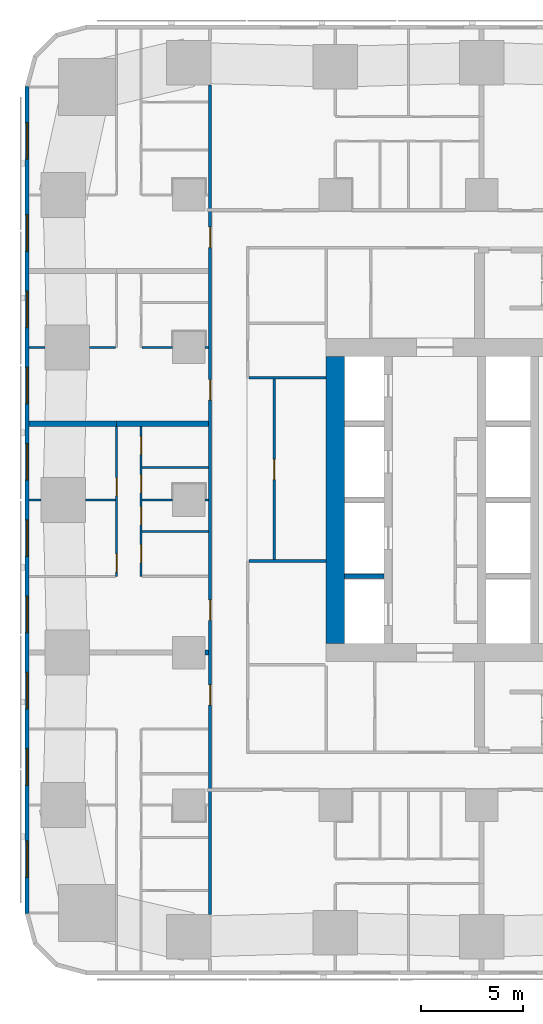
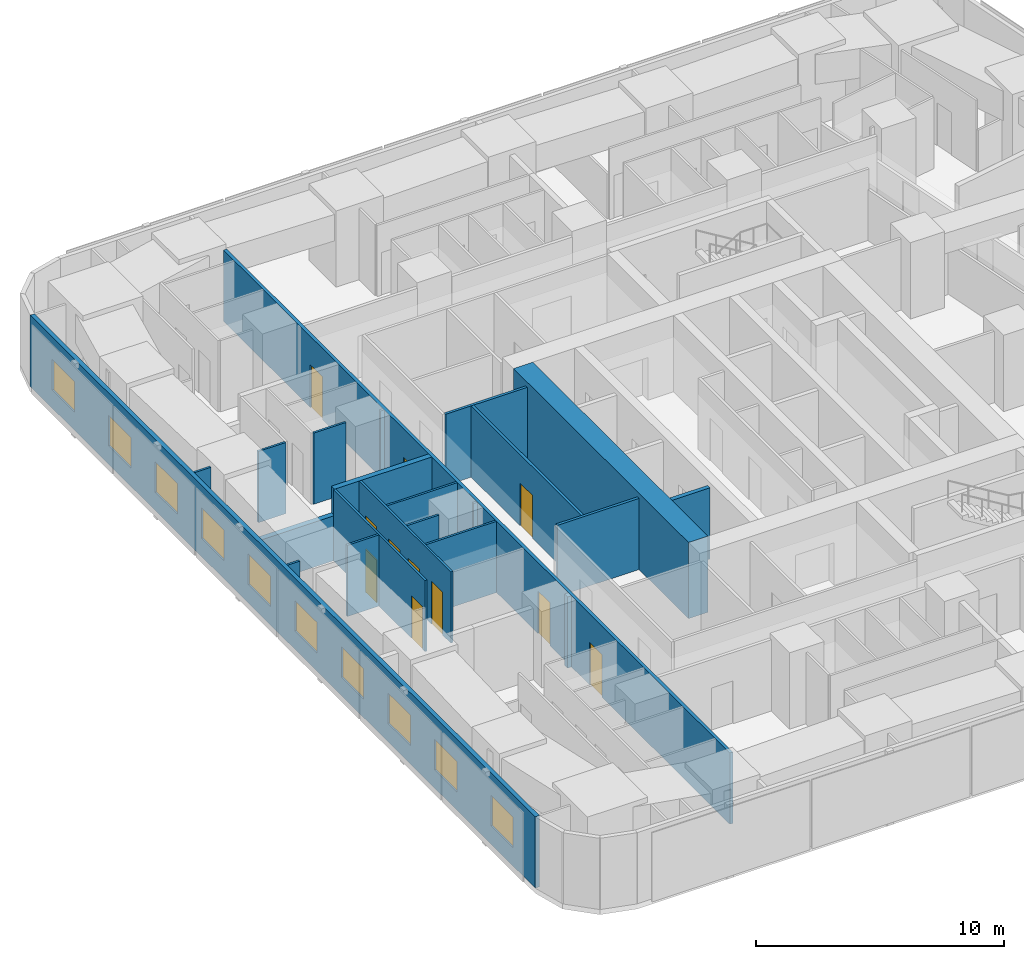
# One storey, part 4 of 15: 22 walls, 11 doors, 10 windows, 21 openings.
"""IFC4 building model written with IfcOpenShell, lengths in metres."""

from ifc_helpers import new_model, si_unit, direction, frame, frame_2d, origin, place, context, subcontext, project, spatial, rectangle, extrude, material, layer, layer_set, type_object, element, fill, save


model = new_model("IFC4")

# Units and contexts
model_context = context("Model", 3, precision=1e-05, world=origin(), true_north=direction((0.0, 1.0)))
body_context = subcontext(model_context, "Body", "Model", "MODEL_VIEW")
ifc_project = project(units=[si_unit("LENGTHUNIT", "METRE"), si_unit("AREAUNIT", "SQUARE_METRE"), si_unit("VOLUMEUNIT", "CUBIC_METRE"), si_unit("PLANEANGLEUNIT", "RADIAN"), si_unit("MASSUNIT", "GRAM", prefix="KILO")], contexts=[model_context])

# Site, building, storey
site_placement = place(None, origin())
site = spatial("IfcSite", under=ifc_project, at=site_placement, CompositionType="ELEMENT")
building_placement = place(site_placement, origin())
building = spatial("IfcBuilding", under=site, at=building_placement, Name="Sheger Commons Tower", CompositionType="ELEMENT")
storey_placement = place(building_placement, frame((0.0, 0.0, 104.14990234375)))
storey = spatial("IfcBuildingStorey", under=building, at=storey_placement, Name="L26", CompositionType="ELEMENT", Elevation=104.14990234375)

# Wall
ifc_material_1 = material(Name="Concrete C50/60", Category="concrete")
ifc_layer_1 = layer(ifc_material_1, 0.89990234375)
ifc_layer_set_1 = layer_set([ifc_layer_1], Name="CORE WALL 900")
wall_type_1 = type_object("IfcWallType", Name="CORE WALL 900", PredefinedType="SHEAR", material=ifc_layer_set_1)
wall_1_placement = place(storey_placement, frame((14.39990234375, 15.449951171875, 0.0), z_axis=(0.0, 0.0, 1.0), x_axis=(0.0, 1.0, 0.0)))
element("IfcWall", 1, at=wall_1_placement, inside=storey, type_object=wall_type_1, Name="Core wall west L26", PredefinedType="SHEAR", context=body_context, shape_type="SweptSolid", body=[
    extrude(rectangle(XDim=14.10009765625, YDim=0.89990234375, at=frame_2d((7.050048828125, 0.0))), origin(), (0.0, 0.0, 1.0), 3.75),
])

# Wall, openings, doors
ifc_material_2 = material(Name="Hollow concrete block masonry, skimmed both sides", Category="masonry")
ifc_layer_2 = layer(ifc_material_2, 0.14990234375)
ifc_layer_set_2 = layer_set([ifc_layer_2], Name="CORRIDOR WALL 150")
wall_type_2 = type_object("IfcWallType", Name="CORRIDOR WALL 150", PredefinedType="SOLIDWALL", material=ifc_layer_set_2)
wall_2_placement = place(storey_placement, frame((8.25, 2.1259765625, 0.0), z_axis=(0.0, 0.0, 1.0), x_axis=(0.0, 1.0, 0.0)))
wall_2 = element("IfcWall", 2, at=wall_2_placement, inside=storey, type_object=wall_type_2, Name="Corridor wall L26", PredefinedType="SOLIDWALL", context=body_context, shape_type="SweptSolid", body=[
    extrude(rectangle(XDim=40.77294921875, YDim=0.14990234375, at=frame_2d((20.386474609375, 0.0))), origin(), (0.0, 0.0, 1.0), 3.5),
])
opening_1_placement = place(wall_2_placement, frame((10.285888671875, 0.0, 0.0)))
opening_1 = element("IfcOpeningElement", 3, at=opening_1_placement, cuts=wall_2, Name="Opening D1", PredefinedType="OPENING", context=body_context, shape_type="SweptSolid", body=[
    extrude(rectangle(XDim=1.0, YDim=2.10009765625, at=frame_2d((0.5, 1.050048828125))), frame((0.0, 0.0849609375, 0.0), z_axis=(0.0, -1.0, 0.0), x_axis=(1.0, 0.0, 0.0)), (0.0, 0.0, 1.0), 0.169921875),
])
opening_2_placement = place(wall_2_placement, frame((14.4609375, 0.0, 0.0)))
opening_2 = element("IfcOpeningElement", 4, at=opening_2_placement, cuts=wall_2, Name="Opening D1", PredefinedType="OPENING", context=body_context, shape_type="SweptSolid", body=[
    extrude(rectangle(XDim=1.0, YDim=2.10009765625, at=frame_2d((0.5, 1.050048828125))), frame((0.0, 0.0849609375, 0.0), z_axis=(0.0, -1.0, 0.0), x_axis=(1.0, 0.0, 0.0)), (0.0, 0.0, 1.0), 0.169921875),
])
opening_3_placement = place(wall_2_placement, frame((25.287109375, 0.0, 0.0)))
opening_3 = element("IfcOpeningElement", 5, at=opening_3_placement, cuts=wall_2, Name="Opening D1", PredefinedType="OPENING", context=body_context, shape_type="SweptSolid", body=[
    extrude(rectangle(XDim=1.0, YDim=2.10009765625, at=frame_2d((0.5, 1.050048828125))), frame((0.0, 0.0849609375, 0.0), z_axis=(0.0, -1.0, 0.0), x_axis=(1.0, 0.0, 0.0)), (0.0, 0.0, 1.0), 0.169921875),
])
opening_4_placement = place(wall_2_placement, frame((32.787109375, 0.0, 0.0)))
opening_4 = element("IfcOpeningElement", 6, at=opening_4_placement, cuts=wall_2, Name="Opening D1", PredefinedType="OPENING", context=body_context, shape_type="SweptSolid", body=[
    extrude(rectangle(XDim=1.0, YDim=2.10009765625, at=frame_2d((0.5, 1.050048828125))), frame((0.0, 0.0849609375, 0.0), z_axis=(0.0, -1.0, 0.0), x_axis=(1.0, 0.0, 0.0)), (0.0, 0.0, 1.0), 0.169921875),
])
ifc_material_3 = material(Name="Steel door set, fire rated", Category="steel")
door_type_1 = type_object("IfcDoorType", Name="FLAT ENTRANCE DOOR 1000x2100", OperationType="NOTDEFINED", PredefinedType="DOOR", material=ifc_material_3)
door_1_placement = place(opening_1_placement, origin())
door_1 = element("IfcDoor", 7, at=door_1_placement, inside=storey, type_object=door_type_1, Name="Flat entrance door", OperationType="SINGLE_SWING_LEFT", OverallHeight=2.10009765625, OverallWidth=1.0, PredefinedType="DOOR", context=body_context, shape_type="SweptSolid", body=[
    extrude(rectangle(XDim=1.0, YDim=2.10009765625, at=frame_2d((0.5, 1.050048828125))), frame((0.0, 0.02490234375, 0.0), z_axis=(0.0, -1.0, 0.0), x_axis=(1.0, 0.0, 0.0)), (0.0, 0.0, 1.0), 0.050048828125),
])
fill(opening_1, door_1)
door_2_placement = place(opening_2_placement, origin())
door_2 = element("IfcDoor", 8, at=door_2_placement, inside=storey, type_object=door_type_1, Name="Flat entrance door", OperationType="SINGLE_SWING_RIGHT", OverallHeight=2.10009765625, OverallWidth=1.0, PredefinedType="DOOR", context=body_context, shape_type="SweptSolid", body=[
    extrude(rectangle(XDim=1.0, YDim=2.10009765625, at=frame_2d((0.5, 1.050048828125))), frame((0.0, 0.02490234375, 0.0), z_axis=(0.0, -1.0, 0.0), x_axis=(1.0, 0.0, 0.0)), (0.0, 0.0, 1.0), 0.050048828125),
])
fill(opening_2, door_2)
door_3_placement = place(opening_3_placement, origin())
door_3 = element("IfcDoor", 9, at=door_3_placement, inside=storey, type_object=door_type_1, Name="Flat entrance door", OperationType="SINGLE_SWING_LEFT", OverallHeight=2.10009765625, OverallWidth=1.0, PredefinedType="DOOR", context=body_context, shape_type="SweptSolid", body=[
    extrude(rectangle(XDim=1.0, YDim=2.10009765625, at=frame_2d((0.5, 1.050048828125))), frame((0.0, 0.02490234375, 0.0), z_axis=(0.0, -1.0, 0.0), x_axis=(1.0, 0.0, 0.0)), (0.0, 0.0, 1.0), 0.050048828125),
])
fill(opening_3, door_3)
door_4_placement = place(opening_4_placement, origin())
door_4 = element("IfcDoor", 10, at=door_4_placement, inside=storey, type_object=door_type_1, Name="Flat entrance door", OperationType="SINGLE_SWING_LEFT", OverallHeight=2.10009765625, OverallWidth=1.0, PredefinedType="DOOR", context=body_context, shape_type="SweptSolid", body=[
    extrude(rectangle(XDim=1.0, YDim=2.10009765625, at=frame_2d((0.5, 1.050048828125))), frame((0.0, 0.02490234375, 0.0), z_axis=(0.0, -1.0, 0.0), x_axis=(1.0, 0.0, 0.0)), (0.0, 0.0, 1.0), 0.050048828125),
])
fill(opening_4, door_4)

# Walls
ifc_material_4 = material(Name="Dense concrete block masonry, plastered both sides (separating wall between flats)", Category="masonry")
ifc_layer_3 = layer(ifc_material_4, 0.25)
ifc_layer_set_3 = layer_set([ifc_layer_3], Name="DEMISING WALL 250")
wall_type_3 = type_object("IfcWallType", Name="DEMISING WALL 250", PredefinedType="SOLIDWALL", material=ifc_layer_set_3)
wall_3_placement = place(storey_placement, frame((8.0009765625, 15.0, 0.0), z_axis=(0.0, 0.0, 1.0), x_axis=(1.0, 0.0, 0.0)))
element("IfcWall", 11, at=wall_3_placement, inside=storey, type_object=wall_type_3, Name="Demising wall L26", PredefinedType="SOLIDWALL", context=body_context, shape_type="SweptSolid", body=[
    extrude(rectangle(XDim=0.174072265625, YDim=0.25, at=frame_2d((0.0869140625, 0.0))), origin(), (0.0, 0.0, 1.0), 3.5),
])
wall_4_placement = place(storey_placement, frame((-0.64990234375, 26.25, 0.0), z_axis=(0.0, 0.0, 1.0), x_axis=(1.0, 0.0, 0.0)))
element("IfcWall", 12, at=wall_4_placement, inside=storey, type_object=wall_type_3, Name="Demising wall L26", PredefinedType="SOLIDWALL", context=body_context, shape_type="SweptSolid", body=[
    extrude(rectangle(XDim=4.2998046875, YDim=0.25, at=frame_2d((2.14990234375, 0.0))), origin(), (0.0, 0.0, 1.0), 2.2001953125),
])
wall_5_placement = place(storey_placement, frame((3.64990234375, 26.25, 0.0), z_axis=(0.0, 0.0, 1.0), x_axis=(1.0, 0.0, 0.0)))
element("IfcWall", 13, at=wall_5_placement, inside=storey, type_object=wall_type_3, Name="Demising wall L26", PredefinedType="SOLIDWALL", context=body_context, shape_type="SweptSolid", body=[
    extrude(rectangle(XDim=4.525146484375, YDim=0.25, at=frame_2d((2.2626953125, 0.0))), origin(), (0.0, 0.0, 1.0), 3.5),
])

# Wall, openings, windows
ifc_material_5 = material(Name="Rendered concrete block masonry, dark grey", Category="masonry")
ifc_layer_4 = layer(ifc_material_5, 0.199951171875)
ifc_layer_set_4 = layer_set([ifc_layer_4], Name="FACADE WALL 200")
wall_type_4 = type_object("IfcWallType", Name="FACADE WALL 200", PredefinedType="SOLIDWALL", material=ifc_layer_set_4)
wall_6_placement = place(storey_placement, frame((-0.75, 42.8369140625, 0.0), z_axis=(0.0, 0.0, 1.0), x_axis=(0.0, -1.0, 0.0)))
wall_6 = element("IfcWall", 14, at=wall_6_placement, inside=storey, type_object=wall_type_4, Name="Facade wall L26", PredefinedType="SOLIDWALL", context=body_context, shape_type="SweptSolid", body=[
    extrude(rectangle(XDim=40.673828125, YDim=0.199951171875, at=frame_2d((20.3369140625, 0.0))), origin(), (0.0, 0.0, 1.0), 3.5),
])
opening_5_placement = place(wall_6_placement, frame((1.780029296875, 0.0, 0.89990234375)))
opening_5 = element("IfcOpeningElement", 15, at=opening_5_placement, cuts=wall_6, Name="Opening W2", PredefinedType="OPENING", context=body_context, shape_type="SweptSolid", body=[
    extrude(rectangle(XDim=1.800048828125, YDim=1.5, at=frame_2d((0.89990234375, 0.75))), frame((0.0, 0.10986328125, 0.0), z_axis=(0.0, -1.0, 0.0), x_axis=(1.0, 0.0, 0.0)), (0.0, 0.0, 1.0), 0.219970703125),
])
opening_6_placement = place(wall_6_placement, frame((6.31201171875, 0.0, 0.89990234375)))
opening_6 = element("IfcOpeningElement", 16, at=opening_6_placement, cuts=wall_6, Name="Opening W2", PredefinedType="OPENING", context=body_context, shape_type="SweptSolid", body=[
    extrude(rectangle(XDim=1.800048828125, YDim=1.5, at=frame_2d((0.89990234375, 0.75))), frame((0.0, 0.10986328125, 0.0), z_axis=(0.0, -1.0, 0.0), x_axis=(1.0, 0.0, 0.0)), (0.0, 0.0, 1.0), 0.219970703125),
])
opening_7_placement = place(wall_6_placement, frame((10.06201171875, 0.0, 0.89990234375)))
opening_7 = element("IfcOpeningElement", 17, at=opening_7_placement, cuts=wall_6, Name="Opening W2", PredefinedType="OPENING", context=body_context, shape_type="SweptSolid", body=[
    extrude(rectangle(XDim=1.800048828125, YDim=1.5, at=frame_2d((0.89990234375, 0.75))), frame((0.0, 0.10986328125, 0.0), z_axis=(0.0, -1.0, 0.0), x_axis=(1.0, 0.0, 0.0)), (0.0, 0.0, 1.0), 0.219970703125),
])
opening_8_placement = place(wall_6_placement, frame((13.81201171875, 0.0, 0.89990234375)))
opening_8 = element("IfcOpeningElement", 18, at=opening_8_placement, cuts=wall_6, Name="Opening W2", PredefinedType="OPENING", context=body_context, shape_type="SweptSolid", body=[
    extrude(rectangle(XDim=1.800048828125, YDim=1.5, at=frame_2d((0.89990234375, 0.75))), frame((0.0, 0.10986328125, 0.0), z_axis=(0.0, -1.0, 0.0), x_axis=(1.0, 0.0, 0.0)), (0.0, 0.0, 1.0), 0.219970703125),
])
opening_9_placement = place(wall_6_placement, frame((17.56201171875, 0.0, 0.89990234375)))
opening_9 = element("IfcOpeningElement", 19, at=opening_9_placement, cuts=wall_6, Name="Opening W2", PredefinedType="OPENING", context=body_context, shape_type="SweptSolid", body=[
    extrude(rectangle(XDim=1.800048828125, YDim=1.5, at=frame_2d((0.89990234375, 0.75))), frame((0.0, 0.10986328125, 0.0), z_axis=(0.0, -1.0, 0.0), x_axis=(1.0, 0.0, 0.0)), (0.0, 0.0, 1.0), 0.219970703125),
])
opening_10_placement = place(wall_6_placement, frame((21.31201171875, 0.0, 0.89990234375)))
opening_10 = element("IfcOpeningElement", 20, at=opening_10_placement, cuts=wall_6, Name="Opening W2", PredefinedType="OPENING", context=body_context, shape_type="SweptSolid", body=[
    extrude(rectangle(XDim=1.800048828125, YDim=1.5, at=frame_2d((0.89990234375, 0.75))), frame((0.0, 0.10986328125, 0.0), z_axis=(0.0, -1.0, 0.0), x_axis=(1.0, 0.0, 0.0)), (0.0, 0.0, 1.0), 0.219970703125),
])
opening_11_placement = place(wall_6_placement, frame((25.06201171875, 0.0, 0.89990234375)))
opening_11 = element("IfcOpeningElement", 21, at=opening_11_placement, cuts=wall_6, Name="Opening W2", PredefinedType="OPENING", context=body_context, shape_type="SweptSolid", body=[
    extrude(rectangle(XDim=1.800048828125, YDim=1.5, at=frame_2d((0.89990234375, 0.75))), frame((0.0, 0.10986328125, 0.0), z_axis=(0.0, -1.0, 0.0), x_axis=(1.0, 0.0, 0.0)), (0.0, 0.0, 1.0), 0.219970703125),
])
opening_12_placement = place(wall_6_placement, frame((28.81201171875, 0.0, 0.89990234375)))
opening_12 = element("IfcOpeningElement", 22, at=opening_12_placement, cuts=wall_6, Name="Opening W2", PredefinedType="OPENING", context=body_context, shape_type="SweptSolid", body=[
    extrude(rectangle(XDim=1.800048828125, YDim=1.5, at=frame_2d((0.89990234375, 0.75))), frame((0.0, 0.10986328125, 0.0), z_axis=(0.0, -1.0, 0.0), x_axis=(1.0, 0.0, 0.0)), (0.0, 0.0, 1.0), 0.219970703125),
])
opening_13_placement = place(wall_6_placement, frame((32.56201171875, 0.0, 0.89990234375)))
opening_13 = element("IfcOpeningElement", 23, at=opening_13_placement, cuts=wall_6, Name="Opening W2", PredefinedType="OPENING", context=body_context, shape_type="SweptSolid", body=[
    extrude(rectangle(XDim=1.800048828125, YDim=1.5, at=frame_2d((0.89990234375, 0.75))), frame((0.0, 0.10986328125, 0.0), z_axis=(0.0, -1.0, 0.0), x_axis=(1.0, 0.0, 0.0)), (0.0, 0.0, 1.0), 0.219970703125),
])
opening_14_placement = place(wall_6_placement, frame((37.093994140625, 0.0, 0.89990234375)))
opening_14 = element("IfcOpeningElement", 24, at=opening_14_placement, cuts=wall_6, Name="Opening W2", PredefinedType="OPENING", context=body_context, shape_type="SweptSolid", body=[
    extrude(rectangle(XDim=1.800048828125, YDim=1.5, at=frame_2d((0.89990234375, 0.75))), frame((0.0, 0.10986328125, 0.0), z_axis=(0.0, -1.0, 0.0), x_axis=(1.0, 0.0, 0.0)), (0.0, 0.0, 1.0), 0.219970703125),
])
ifc_material_6 = material(Name="Black aluminium frame, dark tinted double glazing", Category="aluminium")
window_type = type_object("IfcWindowType", Name="WINDOW W2 1800x1500", PartitioningType="SINGLE_PANEL", PredefinedType="WINDOW", material=ifc_material_6)
window_1_placement = place(opening_5_placement, origin())
window_1 = element("IfcWindow", 25, at=window_1_placement, inside=storey, type_object=window_type, Name="Window W2 1800X1500", OverallHeight=1.5, OverallWidth=1.800048828125, PartitioningType="SINGLE_PANEL", PredefinedType="WINDOW", context=body_context, shape_type="SweptSolid", body=[
    extrude(rectangle(XDim=1.800048828125, YDim=1.5, at=frame_2d((0.89990234375, 0.75))), frame((0.0, 0.030029296875, 0.0), z_axis=(0.0, -1.0, 0.0), x_axis=(1.0, 0.0, 0.0)), (0.0, 0.0, 1.0), 0.06005859375),
])
fill(opening_5, window_1)
window_2_placement = place(opening_6_placement, origin())
window_2 = element("IfcWindow", 26, at=window_2_placement, inside=storey, type_object=window_type, Name="Window W2 1800X1500", OverallHeight=1.5, OverallWidth=1.800048828125, PartitioningType="SINGLE_PANEL", PredefinedType="WINDOW", context=body_context, shape_type="SweptSolid", body=[
    extrude(rectangle(XDim=1.800048828125, YDim=1.5, at=frame_2d((0.89990234375, 0.75))), frame((0.0, 0.030029296875, 0.0), z_axis=(0.0, -1.0, 0.0), x_axis=(1.0, 0.0, 0.0)), (0.0, 0.0, 1.0), 0.06005859375),
])
fill(opening_6, window_2)
window_3_placement = place(opening_7_placement, origin())
window_3 = element("IfcWindow", 27, at=window_3_placement, inside=storey, type_object=window_type, Name="Window W2 1800X1500", OverallHeight=1.5, OverallWidth=1.800048828125, PartitioningType="SINGLE_PANEL", PredefinedType="WINDOW", context=body_context, shape_type="SweptSolid", body=[
    extrude(rectangle(XDim=1.800048828125, YDim=1.5, at=frame_2d((0.89990234375, 0.75))), frame((0.0, 0.030029296875, 0.0), z_axis=(0.0, -1.0, 0.0), x_axis=(1.0, 0.0, 0.0)), (0.0, 0.0, 1.0), 0.06005859375),
])
fill(opening_7, window_3)
window_4_placement = place(opening_8_placement, origin())
window_4 = element("IfcWindow", 28, at=window_4_placement, inside=storey, type_object=window_type, Name="Window W2 1800X1500", OverallHeight=1.5, OverallWidth=1.800048828125, PartitioningType="SINGLE_PANEL", PredefinedType="WINDOW", context=body_context, shape_type="SweptSolid", body=[
    extrude(rectangle(XDim=1.800048828125, YDim=1.5, at=frame_2d((0.89990234375, 0.75))), frame((0.0, 0.030029296875, 0.0), z_axis=(0.0, -1.0, 0.0), x_axis=(1.0, 0.0, 0.0)), (0.0, 0.0, 1.0), 0.06005859375),
])
fill(opening_8, window_4)
window_5_placement = place(opening_9_placement, origin())
window_5 = element("IfcWindow", 29, at=window_5_placement, inside=storey, type_object=window_type, Name="Window W2 1800X1500", OverallHeight=1.5, OverallWidth=1.800048828125, PartitioningType="SINGLE_PANEL", PredefinedType="WINDOW", context=body_context, shape_type="SweptSolid", body=[
    extrude(rectangle(XDim=1.800048828125, YDim=1.5, at=frame_2d((0.89990234375, 0.75))), frame((0.0, 0.030029296875, 0.0), z_axis=(0.0, -1.0, 0.0), x_axis=(1.0, 0.0, 0.0)), (0.0, 0.0, 1.0), 0.06005859375),
])
fill(opening_9, window_5)
window_6_placement = place(opening_10_placement, origin())
window_6 = element("IfcWindow", 30, at=window_6_placement, inside=storey, type_object=window_type, Name="Window W2 1800X1500", OverallHeight=1.5, OverallWidth=1.800048828125, PartitioningType="SINGLE_PANEL", PredefinedType="WINDOW", context=body_context, shape_type="SweptSolid", body=[
    extrude(rectangle(XDim=1.800048828125, YDim=1.5, at=frame_2d((0.89990234375, 0.75))), frame((0.0, 0.030029296875, 0.0), z_axis=(0.0, -1.0, 0.0), x_axis=(1.0, 0.0, 0.0)), (0.0, 0.0, 1.0), 0.06005859375),
])
fill(opening_10, window_6)
window_7_placement = place(opening_11_placement, origin())
window_7 = element("IfcWindow", 31, at=window_7_placement, inside=storey, type_object=window_type, Name="Window W2 1800X1500", OverallHeight=1.5, OverallWidth=1.800048828125, PartitioningType="SINGLE_PANEL", PredefinedType="WINDOW", context=body_context, shape_type="SweptSolid", body=[
    extrude(rectangle(XDim=1.800048828125, YDim=1.5, at=frame_2d((0.89990234375, 0.75))), frame((0.0, 0.030029296875, 0.0), z_axis=(0.0, -1.0, 0.0), x_axis=(1.0, 0.0, 0.0)), (0.0, 0.0, 1.0), 0.06005859375),
])
fill(opening_11, window_7)
window_8_placement = place(opening_12_placement, origin())
window_8 = element("IfcWindow", 32, at=window_8_placement, inside=storey, type_object=window_type, Name="Window W2 1800X1500", OverallHeight=1.5, OverallWidth=1.800048828125, PartitioningType="SINGLE_PANEL", PredefinedType="WINDOW", context=body_context, shape_type="SweptSolid", body=[
    extrude(rectangle(XDim=1.800048828125, YDim=1.5, at=frame_2d((0.89990234375, 0.75))), frame((0.0, 0.030029296875, 0.0), z_axis=(0.0, -1.0, 0.0), x_axis=(1.0, 0.0, 0.0)), (0.0, 0.0, 1.0), 0.06005859375),
])
fill(opening_12, window_8)
window_9_placement = place(opening_13_placement, origin())
window_9 = element("IfcWindow", 33, at=window_9_placement, inside=storey, type_object=window_type, Name="Window W2 1800X1500", OverallHeight=1.5, OverallWidth=1.800048828125, PartitioningType="SINGLE_PANEL", PredefinedType="WINDOW", context=body_context, shape_type="SweptSolid", body=[
    extrude(rectangle(XDim=1.800048828125, YDim=1.5, at=frame_2d((0.89990234375, 0.75))), frame((0.0, 0.030029296875, 0.0), z_axis=(0.0, -1.0, 0.0), x_axis=(1.0, 0.0, 0.0)), (0.0, 0.0, 1.0), 0.06005859375),
])
fill(opening_13, window_9)
window_10_placement = place(opening_14_placement, origin())
window_10 = element("IfcWindow", 34, at=window_10_placement, inside=storey, type_object=window_type, Name="Window W2 1800X1500", OverallHeight=1.5, OverallWidth=1.800048828125, PartitioningType="SINGLE_PANEL", PredefinedType="WINDOW", context=body_context, shape_type="SweptSolid", body=[
    extrude(rectangle(XDim=1.800048828125, YDim=1.5, at=frame_2d((0.89990234375, 0.75))), frame((0.0, 0.030029296875, 0.0), z_axis=(0.0, -1.0, 0.0), x_axis=(1.0, 0.0, 0.0)), (0.0, 0.0, 1.0), 0.06005859375),
])
fill(opening_14, window_10)

# Wall, openings, doors
ifc_material_7 = material(Name="Gypsum board on steel studs", Category="steel")
ifc_layer_5 = layer(ifc_material_7, 0.10009765625)
ifc_layer_set_5 = layer_set([ifc_layer_5], Name="PARTITION 100")
wall_type_5 = type_object("IfcWallType", Name="PARTITION 100", PredefinedType="PARTITIONING", material=ifc_layer_set_5)
wall_7_placement = place(storey_placement, frame((3.64990234375, 18.75, 0.0), z_axis=(0.0, 0.0, 1.0), x_axis=(0.0, 1.0, 0.0)))
wall_7 = element("IfcWall", 35, at=wall_7_placement, inside=storey, type_object=wall_type_5, Name="Partition L26", PredefinedType="PARTITIONING", context=body_context, shape_type="SweptSolid", body=[
    extrude(rectangle(XDim=7.375, YDim=0.10009765625, at=frame_2d((3.6875, 0.0))), origin(), (0.0, 0.0, 1.0), 3.5),
])
opening_15_placement = place(wall_7_placement, frame((0.199951171875, 0.0, 0.0)))
opening_15 = element("IfcOpeningElement", 36, at=opening_15_placement, cuts=wall_7, Name="Opening D2", PredefinedType="OPENING", context=body_context, shape_type="SweptSolid", body=[
    extrude(rectangle(XDim=0.89990234375, YDim=2.10009765625, at=frame_2d((0.449951171875, 1.050048828125))), frame((0.0, 0.06005859375, 0.0), z_axis=(0.0, -1.0, 0.0), x_axis=(1.0, 0.0, 0.0)), (0.0, 0.0, 1.0), 0.1201171875),
])
opening_16_placement = place(wall_7_placement, frame((3.949951171875, 0.0, 0.0)))
opening_16 = element("IfcOpeningElement", 37, at=opening_16_placement, cuts=wall_7, Name="Opening D2", PredefinedType="OPENING", context=body_context, shape_type="SweptSolid", body=[
    extrude(rectangle(XDim=0.89990234375, YDim=2.10009765625, at=frame_2d((0.449951171875, 1.050048828125))), frame((0.0, 0.06005859375, 0.0), z_axis=(0.0, -1.0, 0.0), x_axis=(1.0, 0.0, 0.0)), (0.0, 0.0, 1.0), 0.1201171875),
])
ifc_material_8 = material(Name="Timber door set", Category="wood")
door_type_2 = type_object("IfcDoorType", Name="INTERNAL DOOR 900x2100", OperationType="NOTDEFINED", PredefinedType="DOOR", material=ifc_material_8)
door_5_placement = place(opening_15_placement, origin())
door_5 = element("IfcDoor", 38, at=door_5_placement, inside=storey, type_object=door_type_2, Name="Main bedroom door", OperationType="SINGLE_SWING_LEFT", OverallHeight=2.10009765625, OverallWidth=0.89990234375, PredefinedType="DOOR", context=body_context, shape_type="SweptSolid", body=[
    extrude(rectangle(XDim=0.89990234375, YDim=2.10009765625, at=frame_2d((0.449951171875, 1.050048828125))), frame((0.0, 0.02490234375, 0.0), z_axis=(0.0, -1.0, 0.0), x_axis=(1.0, 0.0, 0.0)), (0.0, 0.0, 1.0), 0.050048828125),
])
fill(opening_15, door_5)
door_6_placement = place(opening_16_placement, origin())
door_6 = element("IfcDoor", 39, at=door_6_placement, inside=storey, type_object=door_type_2, Name="Bedroom 2 door", OperationType="SINGLE_SWING_LEFT", OverallHeight=2.10009765625, OverallWidth=0.89990234375, PredefinedType="DOOR", context=body_context, shape_type="SweptSolid", body=[
    extrude(rectangle(XDim=0.89990234375, YDim=2.10009765625, at=frame_2d((0.449951171875, 1.050048828125))), frame((0.0, 0.02490234375, 0.0), z_axis=(0.0, -1.0, 0.0), x_axis=(1.0, 0.0, 0.0)), (0.0, 0.0, 1.0), 0.050048828125),
])
fill(opening_16, door_6)

wall_8_placement = place(storey_placement, frame((4.85009765625, 18.75, 0.0), z_axis=(0.0, 0.0, 1.0), x_axis=(0.0, 1.0, 0.0)))
wall_8 = element("IfcWall", 40, at=wall_8_placement, inside=storey, type_object=wall_type_5, Name="Partition L26", PredefinedType="PARTITIONING", context=body_context, shape_type="SweptSolid", body=[
    extrude(rectangle(XDim=7.375, YDim=0.10009765625, at=frame_2d((3.6875, 0.0))), origin(), (0.0, 0.0, 1.0), 3.5),
])
opening_17_placement = place(wall_8_placement, frame((0.655029296875, 0.0, 0.0)))
opening_17 = element("IfcOpeningElement", 41, at=opening_17_placement, cuts=wall_8, Name="Opening D2", PredefinedType="OPENING", context=body_context, shape_type="SweptSolid", body=[
    extrude(rectangle(XDim=0.89990234375, YDim=2.10009765625, at=frame_2d((0.449951171875, 1.050048828125))), frame((0.0, 0.06005859375, 0.0), z_axis=(0.0, -1.0, 0.0), x_axis=(1.0, 0.0, 0.0)), (0.0, 0.0, 1.0), 0.1201171875),
])
opening_18_placement = place(wall_8_placement, frame((4.10009765625, 0.0, 0.0)))
opening_18 = element("IfcOpeningElement", 42, at=opening_18_placement, cuts=wall_8, Name="Opening D2", PredefinedType="OPENING", context=body_context, shape_type="SweptSolid", body=[
    extrude(rectangle(XDim=0.89990234375, YDim=2.10009765625, at=frame_2d((0.449951171875, 1.050048828125))), frame((0.0, 0.06005859375, 0.0), z_axis=(0.0, -1.0, 0.0), x_axis=(1.0, 0.0, 0.0)), (0.0, 0.0, 1.0), 0.1201171875),
])
opening_19_placement = place(wall_8_placement, frame((2.530029296875, 0.0, 0.0)))
opening_19 = element("IfcOpeningElement", 43, at=opening_19_placement, cuts=wall_8, Name="Opening D2", PredefinedType="OPENING", context=body_context, shape_type="SweptSolid", body=[
    extrude(rectangle(XDim=0.89990234375, YDim=2.10009765625, at=frame_2d((0.449951171875, 1.050048828125))), frame((0.0, 0.06005859375, 0.0), z_axis=(0.0, -1.0, 0.0), x_axis=(1.0, 0.0, 0.0)), (0.0, 0.0, 1.0), 0.1201171875),
])
opening_20_placement = place(wall_8_placement, frame((5.97509765625, 0.0, 0.0)))
opening_20 = element("IfcOpeningElement", 44, at=opening_20_placement, cuts=wall_8, Name="Opening D2", PredefinedType="OPENING", context=body_context, shape_type="SweptSolid", body=[
    extrude(rectangle(XDim=0.89990234375, YDim=2.10009765625, at=frame_2d((0.449951171875, 1.050048828125))), frame((0.0, 0.06005859375, 0.0), z_axis=(0.0, -1.0, 0.0), x_axis=(1.0, 0.0, 0.0)), (0.0, 0.0, 1.0), 0.1201171875),
])
door_7_placement = place(opening_17_placement, origin())
door_7 = element("IfcDoor", 45, at=door_7_placement, inside=storey, type_object=door_type_2, Name="Bathroom door", OperationType="SINGLE_SWING_RIGHT", OverallHeight=2.10009765625, OverallWidth=0.89990234375, PredefinedType="DOOR", context=body_context, shape_type="SweptSolid", body=[
    extrude(rectangle(XDim=0.89990234375, YDim=2.10009765625, at=frame_2d((0.449951171875, 1.050048828125))), frame((0.0, 0.02490234375, 0.0), z_axis=(0.0, -1.0, 0.0), x_axis=(1.0, 0.0, 0.0)), (0.0, 0.0, 1.0), 0.050048828125),
])
fill(opening_17, door_7)
door_8_placement = place(opening_18_placement, origin())
door_8 = element("IfcDoor", 46, at=door_8_placement, inside=storey, type_object=door_type_2, Name="Shower room door", OperationType="SINGLE_SWING_RIGHT", OverallHeight=2.10009765625, OverallWidth=0.89990234375, PredefinedType="DOOR", context=body_context, shape_type="SweptSolid", body=[
    extrude(rectangle(XDim=0.89990234375, YDim=2.10009765625, at=frame_2d((0.449951171875, 1.050048828125))), frame((0.0, 0.02490234375, 0.0), z_axis=(0.0, -1.0, 0.0), x_axis=(1.0, 0.0, 0.0)), (0.0, 0.0, 1.0), 0.050048828125),
])
fill(opening_18, door_8)
door_9_placement = place(opening_19_placement, origin())
door_9 = element("IfcDoor", 47, at=door_9_placement, inside=storey, type_object=door_type_2, Name="Store door", OperationType="SINGLE_SWING_RIGHT", OverallHeight=2.10009765625, OverallWidth=0.89990234375, PredefinedType="DOOR", context=body_context, shape_type="SweptSolid", body=[
    extrude(rectangle(XDim=0.89990234375, YDim=2.10009765625, at=frame_2d((0.449951171875, 1.050048828125))), frame((0.0, 0.02490234375, 0.0), z_axis=(0.0, -1.0, 0.0), x_axis=(1.0, 0.0, 0.0)), (0.0, 0.0, 1.0), 0.050048828125),
])
fill(opening_19, door_9)
door_10_placement = place(opening_20_placement, origin())
door_10 = element("IfcDoor", 48, at=door_10_placement, inside=storey, type_object=door_type_2, Name="Store door", OperationType="SINGLE_SWING_LEFT", OverallHeight=2.10009765625, OverallWidth=0.89990234375, PredefinedType="DOOR", context=body_context, shape_type="SweptSolid", body=[
    extrude(rectangle(XDim=0.89990234375, YDim=2.10009765625, at=frame_2d((0.449951171875, 1.050048828125))), frame((0.0, 0.02490234375, 0.0), z_axis=(0.0, -1.0, 0.0), x_axis=(1.0, 0.0, 0.0)), (0.0, 0.0, 1.0), 0.050048828125),
])
fill(opening_20, door_10)

# Walls
wall_9_placement = place(storey_placement, frame((-0.64990234375, 22.5, 0.0), z_axis=(0.0, 0.0, 1.0), x_axis=(1.0, 0.0, 0.0)))
element("IfcWall", 49, at=wall_9_placement, inside=storey, type_object=wall_type_5, Name="Partition L26", PredefinedType="PARTITIONING", context=body_context, shape_type="SweptSolid", body=[
    extrude(rectangle(XDim=0.573974609375, YDim=0.10009765625, at=frame_2d((0.287109375, 0.0))), origin(), (0.0, 0.0, 1.0), 3.5),
])
wall_10_placement = place(storey_placement, frame((2.1259765625, 22.5, 0.0), z_axis=(0.0, 0.0, 1.0), x_axis=(1.0, 0.0, 0.0)))
element("IfcWall", 50, at=wall_10_placement, inside=storey, type_object=wall_type_5, Name="Partition L26", PredefinedType="PARTITIONING", context=body_context, shape_type="SweptSolid", body=[
    extrude(rectangle(XDim=1.47412109375, YDim=0.10009765625, at=frame_2d((0.737060546875, 0.0))), origin(), (0.0, 0.0, 1.0), 3.5),
])
wall_11_placement = place(storey_placement, frame((4.89990234375, 22.5, 0.0), z_axis=(0.0, 0.0, 1.0), x_axis=(1.0, 0.0, 0.0)))
element("IfcWall", 51, at=wall_11_placement, inside=storey, type_object=wall_type_5, Name="Partition L26", PredefinedType="PARTITIONING", context=body_context, shape_type="SweptSolid", body=[
    extrude(rectangle(XDim=1.4990234375, YDim=0.10009765625, at=frame_2d((0.74951171875, 0.0))), origin(), (0.0, 0.0, 1.0), 3.5),
])
wall_12_placement = place(storey_placement, frame((8.0009765625, 22.5, 0.0), z_axis=(0.0, 0.0, 1.0), x_axis=(1.0, 0.0, 0.0)))
element("IfcWall", 52, at=wall_12_placement, inside=storey, type_object=wall_type_5, Name="Partition L26", PredefinedType="PARTITIONING", context=body_context, shape_type="SweptSolid", body=[
    extrude(rectangle(XDim=0.174072265625, YDim=0.10009765625, at=frame_2d((0.0869140625, 0.0))), origin(), (0.0, 0.0, 1.0), 3.5),
])
for number, where, z_axis, x_axis, name in (
    (53, (4.89990234375, 20.9599609375, 0.0), (0.0, 0.0, 1.0), (1.0, 0.0, 0.0), "Partition L26"),
    (54, (4.89990234375, 24.10009765625, 0.0), (0.0, 0.0, 1.0), (1.0, 0.0, 0.0), "Partition L26"),
):
    element("IfcWall", number, at=place(storey_placement, frame(where, z_axis=z_axis, x_axis=x_axis)), inside=storey, type_object=wall_type_5, Name=name, PredefinedType="PARTITIONING", context=body_context, shape_type="SweptSolid", body=[
        extrude(rectangle(XDim=3.275146484375, YDim=0.10009765625, at=frame_2d((1.6376953125, 0.0))), origin(), (0.0, 0.0, 1.0), 3.5),
    ])
wall_13_placement = place(storey_placement, frame((-0.64990234375, 30.0, 0.0), z_axis=(0.0, 0.0, 1.0), x_axis=(1.0, 0.0, 0.0)))
element("IfcWall", 55, at=wall_13_placement, inside=storey, type_object=wall_type_5, Name="Partition L26", PredefinedType="PARTITIONING", context=body_context, shape_type="SweptSolid", body=[
    extrude(rectangle(XDim=0.77392578125, YDim=0.10009765625, at=frame_2d((0.386962890625, 0.0))), origin(), (0.0, 0.0, 1.0), 3.5),
])
wall_14_placement = place(storey_placement, frame((2.325927734375, 30.0, 0.0), z_axis=(0.0, 0.0, 1.0), x_axis=(1.0, 0.0, 0.0)))
element("IfcWall", 56, at=wall_14_placement, inside=storey, type_object=wall_type_5, Name="Partition L26", PredefinedType="PARTITIONING", context=body_context, shape_type="SweptSolid", body=[
    extrude(rectangle(XDim=1.274169921875, YDim=0.10009765625, at=frame_2d((0.63720703125, 0.0))), origin(), (0.0, 0.0, 1.0), 3.5),
])
wall_15_placement = place(storey_placement, frame((4.89990234375, 30.0, 0.0), z_axis=(0.0, 0.0, 1.0), x_axis=(1.0, 0.0, 0.0)))
element("IfcWall", 57, at=wall_15_placement, inside=storey, type_object=wall_type_5, Name="Partition L26", PredefinedType="PARTITIONING", context=body_context, shape_type="SweptSolid", body=[
    extrude(rectangle(XDim=1.4990234375, YDim=0.10009765625, at=frame_2d((0.74951171875, 0.0))), origin(), (0.0, 0.0, 1.0), 3.5),
])
wall_16_placement = place(storey_placement, frame((8.0009765625, 30.0, 0.0), z_axis=(0.0, 0.0, 1.0), x_axis=(1.0, 0.0, 0.0)))
element("IfcWall", 58, at=wall_16_placement, inside=storey, type_object=wall_type_5, Name="Partition L26", PredefinedType="PARTITIONING", context=body_context, shape_type="SweptSolid", body=[
    extrude(rectangle(XDim=0.174072265625, YDim=0.10009765625, at=frame_2d((0.0869140625, 0.0))), origin(), (0.0, 0.0, 1.0), 3.5),
])

# Wall, opening, door
ifc_material_9 = material(Name="Gypsum board on steel studs, two layers each side, fire rated", Category="steel")
ifc_layer_6 = layer(ifc_material_9, 0.125)
ifc_layer_set_6 = layer_set([ifc_layer_6], Name="SERVICE WALL 125")
wall_type_6 = type_object("IfcWallType", Name="SERVICE WALL 125", PredefinedType="PARTITIONING", material=ifc_layer_set_6)
wall_17_placement = place(storey_placement, frame((11.39990234375, 19.56201171875, 0.0), z_axis=(0.0, 0.0, 1.0), x_axis=(0.0, 1.0, 0.0)))
wall_17 = element("IfcWall", 59, at=wall_17_placement, inside=storey, type_object=wall_type_6, Name="Service room wall L26", PredefinedType="PARTITIONING", context=body_context, shape_type="SweptSolid", body=[
    extrude(rectangle(XDim=8.8759765625, YDim=0.125, at=frame_2d((4.43798828125, 0.0))), origin(), (0.0, 0.0, 1.0), 3.5),
])
opening_21_placement = place(wall_17_placement, frame((3.93798828125, 0.0, 0.0)))
opening_21 = element("IfcOpeningElement", 60, at=opening_21_placement, cuts=wall_17, Name="Opening D4", PredefinedType="OPENING", context=body_context, shape_type="SweptSolid", body=[
    extrude(rectangle(XDim=1.0, YDim=2.10009765625, at=frame_2d((0.5, 1.050048828125))), frame((0.0, 0.072509765625, 0.0), z_axis=(0.0, -1.0, 0.0), x_axis=(1.0, 0.0, 0.0)), (0.0, 0.0, 1.0), 0.14501953125),
])
ifc_material_10 = material(Name="Steel door set, fire rated", Category="steel")
door_type_3 = type_object("IfcDoorType", Name="SERVICE DOOR 1000x2100", OperationType="NOTDEFINED", PredefinedType="DOOR", material=ifc_material_10)
door_11_placement = place(opening_21_placement, origin())
door_11 = element("IfcDoor", 61, at=door_11_placement, inside=storey, type_object=door_type_3, Name="Residents' hobby room door", OperationType="SINGLE_SWING_LEFT", OverallHeight=2.10009765625, OverallWidth=1.0, PredefinedType="DOOR", context=body_context, shape_type="SweptSolid", body=[
    extrude(rectangle(XDim=1.0, YDim=2.10009765625, at=frame_2d((0.5, 1.050048828125))), frame((0.0, 0.02490234375, 0.0), z_axis=(0.0, -1.0, 0.0), x_axis=(1.0, 0.0, 0.0)), (0.0, 0.0, 1.0), 0.050048828125),
])
fill(opening_21, door_11)

# Walls
for number, where, z_axis, x_axis, name in (
    (62, (10.1630859375, 19.5, 0.0), (0.0, 0.0, 1.0), (1.0, 0.0, 0.0), "Service room wall L26"),
    (63, (10.1630859375, 28.5, 0.0), (0.0, 0.0, 1.0), (1.0, 0.0, 0.0), "Service room wall L26"),
):
    element("IfcWall", number, at=place(storey_placement, frame(where, z_axis=z_axis, x_axis=x_axis)), inside=storey, type_object=wall_type_6, Name=name, PredefinedType="PARTITIONING", context=body_context, shape_type="SweptSolid", body=[
        extrude(rectangle(XDim=3.786865234375, YDim=0.125, at=frame_2d((1.8935546875, 0.0))), origin(), (0.0, 0.0, 1.0), 3.5),
    ])
ifc_material_11 = material(Name="Hollow concrete block masonry", Category="masonry")
ifc_layer_7 = layer(ifc_material_11, 0.199951171875)
ifc_layer_set_7 = layer_set([ifc_layer_7], Name="SHAFT WALL 200")
wall_type_7 = type_object("IfcWallType", Name="SHAFT WALL 200", PredefinedType="SOLIDWALL", material=ifc_layer_set_7)
wall_18_placement = place(storey_placement, frame((14.85009765625, 18.75, 0.0), z_axis=(0.0, 0.0, 1.0), x_axis=(1.0, 0.0, 0.0)))
element("IfcWall", 64, at=wall_18_placement, inside=storey, type_object=wall_type_7, Name="Lift shaft wall L26", PredefinedType="SOLIDWALL", context=body_context, shape_type="SweptSolid", body=[
    extrude(rectangle(XDim=1.949951171875, YDim=0.199951171875, at=frame_2d((0.97509765625, 0.0))), origin(), (0.0, 0.0, 1.0), 3.5),
])

save(model, "model.ifc")
